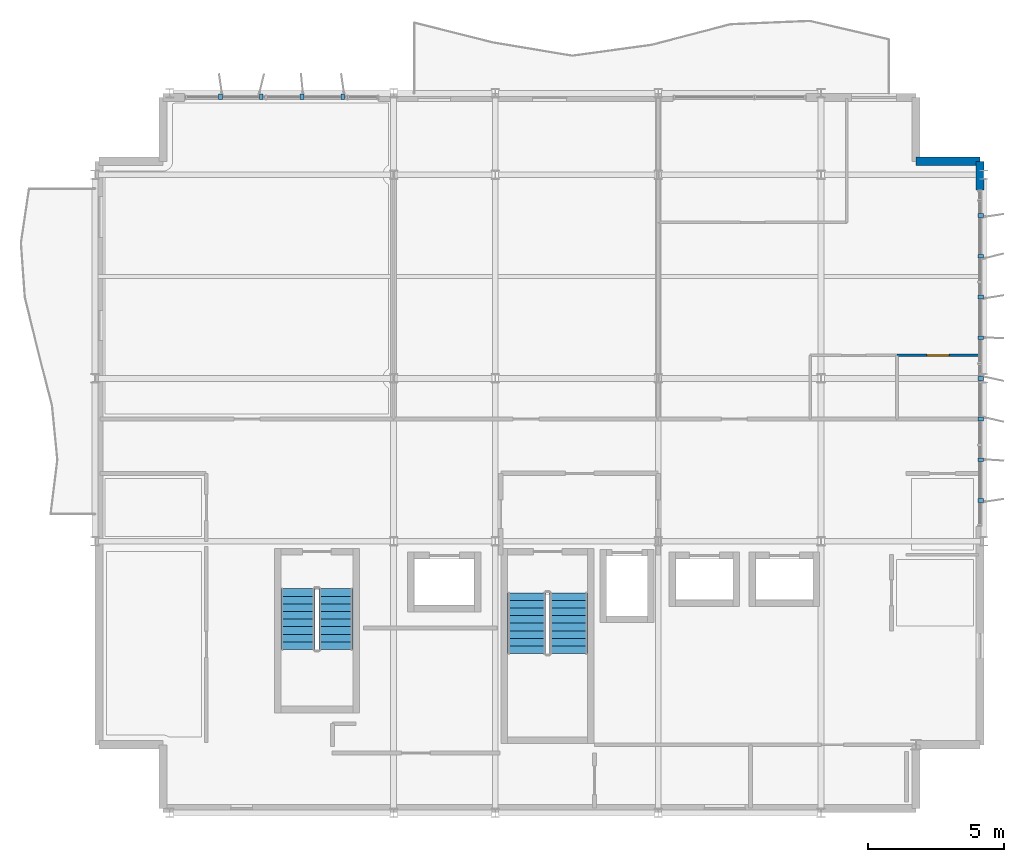
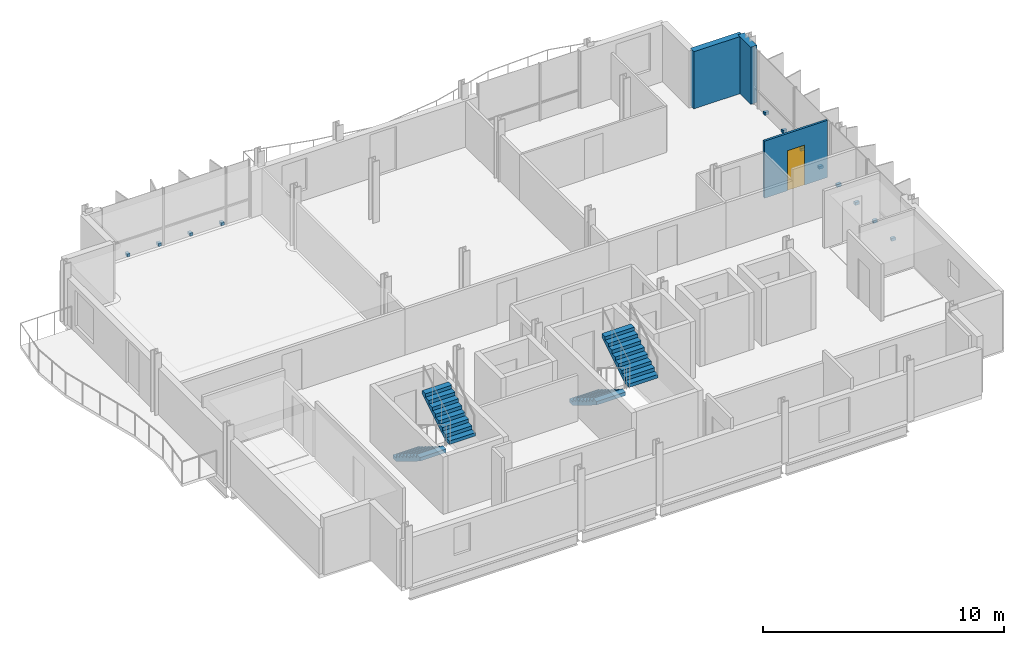
# One storey, part 10 of 12: 12 discrete accessories, 4 stair flights, 3 walls, 1 door, 1 opening, 2 elements without a shape of their own.
"""IFC4 building model written with IfcOpenShell, lengths in metres."""

from ifc_helpers import new_model, si_unit, direction, frame, frame_2d, origin, origin_2d, place, context, subcontext, project, spatial, polyline, rectangle, outline, extrude, material, layer, layer_set, type_object, element, fill, aggregate, save


model = new_model("IFC4")

# Units and contexts
model_context = context("Model", 3, precision=1e-05, world=origin(), true_north=direction((0.0, 1.0)))
body_context = subcontext(model_context, "Body", "Model", "MODEL_VIEW")
ifc_project = project(units=[si_unit("LENGTHUNIT", "METRE"), si_unit("AREAUNIT", "SQUARE_METRE"), si_unit("VOLUMEUNIT", "CUBIC_METRE"), si_unit("PLANEANGLEUNIT", "RADIAN"), si_unit("MASSUNIT", "GRAM", prefix="KILO")], contexts=[model_context])

# Site, building, storey
site_placement = place(None, origin())
site = spatial("IfcSite", under=ifc_project, at=site_placement, CompositionType="ELEMENT")
building_placement = place(site_placement, origin())
building = spatial("IfcBuilding", under=site, at=building_placement, Name="Brevholm Reach", CompositionType="ELEMENT")
storey_placement = place(building_placement, frame((0.0, 0.0, 230.39990234375)))
storey = spatial("IfcBuildingStorey", under=building, at=storey_placement, Name="L70", CompositionType="ELEMENT", Elevation=230.39990234375)

# Walls
ifc_material_1 = material(Name="Concrete C40/50", Category="concrete")
ifc_layer_1 = layer(ifc_material_1, 0.300048828125)
ifc_layer_set_1 = layer_set([ifc_layer_1], Name="Concrete C40/50")
wall_type_1 = type_object("IfcWallType", Name="WAL-EXT-300", PredefinedType="STANDARD", material=ifc_layer_set_1)
wall_1_placement = place(storey_placement, frame((59.85009765625, 24.0, 0.0), z_axis=(0.0, 0.0, 1.0), x_axis=(-1.0, 0.0, 0.0)))
element("IfcWall", 1, at=wall_1_placement, inside=storey, type_object=wall_type_1, Name="L70 Facade Wall WAL-L70-CNE1", PredefinedType="STANDARD", context=body_context, shape_type="SweptSolid", body=[
    extrude(rectangle(XDim=2.35009765625, YDim=0.300048828125, at=frame_2d((1.175048828125, 0.0))), origin(), (0.0, 0.0, 1.0), 2.89013671875),
])
wall_2_placement = place(storey_placement, frame((59.85009765625, 22.949951171875, 0.0), z_axis=(0.0, 0.0, 1.0), x_axis=(0.0, 1.0, 0.0)))
element("IfcWall", 2, at=wall_2_placement, inside=storey, type_object=wall_type_1, Name="L70 Facade Wall WAL-L70-E-TOP", PredefinedType="STANDARD", context=body_context, shape_type="SweptSolid", body=[
    extrude(rectangle(XDim=1.050048828125, YDim=0.300048828125, at=frame_2d((0.52490234375, 0.0))), origin(), (0.0, 0.0, 1.0), 2.89013671875),
])

# Wall, opening, door
ifc_material_2 = material(Name="Moisture-Resistant Acoustic Gypsum Stud Partition 100 mm", Category="gypsum")
ifc_layer_2 = layer(ifc_material_2, 0.10009765625)
ifc_layer_set_2 = layer_set([ifc_layer_2], Name="Moisture-Resistant Acoustic Gypsum Stud Partition 100 mm")
wall_type_2 = type_object("IfcWallType", Name="WAL-PRT-100", PredefinedType="PARTITIONING", material=ifc_layer_set_2)
wall_3_placement = place(storey_placement, frame((56.800048828125, 16.85009765625, 0.0), z_axis=(0.0, 0.0, 1.0), x_axis=(1.0, 0.0, 0.0)))
wall_3 = element("IfcWall", 3, at=wall_3_placement, inside=storey, type_object=wall_type_2, Name="L70 Internal Partition 024", PredefinedType="PARTITIONING", context=body_context, shape_type="SweptSolid", body=[
    extrude(rectangle(XDim=3.02001953125, YDim=0.10009765625, at=frame_2d((1.510009765625, 0.0))), origin(), (0.0, 0.0, 1.0), 2.89013671875),
])
opening_placement = place(wall_3_placement, frame((1.10009765625, 0.0, 0.0)))
opening = element("IfcOpeningElement", 4, at=opening_placement, cuts=wall_3, Name="Opening ID-03", PredefinedType="OPENING", context=body_context, shape_type="SweptSolid", body=[
    extrude(rectangle(XDim=0.820068359375, YDim=2.02001953125, at=frame_2d((0.41015625, 1.010009765625))), frame((0.0, 0.06005859375, 0.0), z_axis=(0.0, -1.0, 0.0), x_axis=(1.0, 0.0, 0.0)), (0.0, 0.0, 1.0), 0.1201171875),
])
ifc_material_3 = material(Name="Moisture-Resistant Painted Timber Internal Bathroom Door", Category="wood")
door_type = type_object("IfcDoorType", Name="DOR-BATH-820", OperationType="NOTDEFINED", PredefinedType="DOOR", material=ifc_material_3)
door_placement = place(opening_placement, origin())
door = element("IfcDoor", 5, at=door_placement, inside=storey, type_object=door_type, Name="L70 Internal Door 014", OperationType="SINGLE_SWING_RIGHT", OverallHeight=2.02001953125, OverallWidth=0.820068359375, PredefinedType="DOOR", context=body_context, shape_type="SweptSolid", body=[
    extrude(rectangle(XDim=0.820068359375, YDim=2.02001953125, at=frame_2d((0.41015625, 1.010009765625))), frame((0.0, 0.02490234375, 0.0), z_axis=(0.0, -1.0, 0.0), x_axis=(1.0, 0.0, 0.0)), (0.0, 0.0, 1.0), 0.050048828125),
])
fill(opening, door)

# Stair, stair flights
ifc_material_4 = material(Name="Precast Concrete C40/50", Category="concrete")
stair_type_1 = type_object("IfcStairType", Name="STR-ESC-1250", PredefinedType="DOUBLE_RETURN_STAIR", material=ifc_material_4)
stair_1_placement = place(storey_placement, origin())
stair_1 = element("IfcStair", 6, at=stair_1_placement, inside=storey, type_object=stair_type_1, Name="L70 ST-3", PredefinedType="DOUBLE_RETURN_STAIR")
ifc_material_5 = material(Name="Precast Concrete C40/50", Category="concrete")
ifc_layer_3 = layer(ifc_material_5, 0.1650390625)
ifc_layer_set_3 = layer_set([ifc_layer_3], Name="Precast Concrete C40/50")
stair_flight_type_1 = type_object("IfcStairFlightType", Name="STF-PRC-165", PredefinedType="STRAIGHT", material=ifc_layer_set_3)
stair_flight_1_placement = place(storey_placement, frame((34.72509765625, 8.25, 0.0), z_axis=(0.0, 0.0, 1.0), x_axis=(0.0, -1.0, 0.0)))
stair_flight_1 = element("IfcStairFlight", 7, at=stair_flight_1_placement, type_object=stair_flight_type_1, Name="ST-3 flight 1", NumberOfRisers=9, NumberOfTreads=8, PredefinedType="STRAIGHT", RiserHeight=0.172222222, TreadLength=0.28, context=body_context, shape_type="SweptSolid", body=[
    extrude(outline(polyline([(0.0, 0.0), (0.0, 0.172119140625), (0.280029296875, 0.172119140625), (0.280029296875, 0.344482421875), (0.56005859375, 0.344482421875), (0.56005859375, 0.5166015625), (0.840087890625, 0.5166015625), (0.840087890625, 0.68896484375), (1.1201171875, 0.68896484375), (1.1201171875, 0.861083984375), (1.39990234375, 0.861083984375), (1.39990234375, 1.033447265625), (1.679931640625, 1.033447265625), (1.679931640625, 1.20556640625), (1.9599609375, 1.20556640625), (1.9599609375, 1.377685546875), (2.239990234375, 1.377685546875), (2.239990234375, 1.550048828125), (2.239990234375, 1.201904296875), (0.2861328125, 0.0), (0.0, 0.0)])), frame((0.0, 0.625, 0.0), z_axis=(0.0, -1.0, 0.0), x_axis=(1.0, 0.0, 0.0)), (0.0, 0.0, 1.0), 1.25),
])
stair_flight_2_placement = place(storey_placement, frame((36.125, 6.010009765625, 1.550048828125), z_axis=(0.0, 0.0, 1.0), x_axis=(0.0, 1.0, 0.0)))
stair_flight_2 = element("IfcStairFlight", 8, at=stair_flight_2_placement, type_object=stair_flight_type_1, Name="ST-3 flight 2", NumberOfRisers=9, NumberOfTreads=8, PredefinedType="STRAIGHT", RiserHeight=0.172222222, TreadLength=0.28, context=body_context, shape_type="SweptSolid", body=[
    extrude(outline(polyline([(0.0, 0.0), (0.0, 0.172119140625), (0.280029296875, 0.172119140625), (0.280029296875, 0.344482421875), (0.56005859375, 0.344482421875), (0.56005859375, 0.5166015625), (0.840087890625, 0.5166015625), (0.840087890625, 0.68896484375), (1.1201171875, 0.68896484375), (1.1201171875, 0.861083984375), (1.39990234375, 0.861083984375), (1.39990234375, 1.033447265625), (1.679931640625, 1.033447265625), (1.679931640625, 1.20556640625), (1.9599609375, 1.20556640625), (1.9599609375, 1.377685546875), (2.239990234375, 1.377685546875), (2.239990234375, 1.550048828125), (2.239990234375, 1.201904296875), (0.2861328125, 0.0), (0.0, 0.0)])), frame((0.0, 0.625, 0.0), z_axis=(0.0, -1.0, 0.0), x_axis=(1.0, 0.0, 0.0)), (0.0, 0.0, 1.0), 1.25),
])
aggregate(stair_1, [stair_flight_1, stair_flight_2])

ifc_material_6 = material(Name="Precast Concrete C40/50", Category="concrete")
stair_type_2 = type_object("IfcStairType", Name="STR-ESC-1400", PredefinedType="DOUBLE_RETURN_STAIR", material=ifc_material_6)
stair_2_placement = place(storey_placement, origin())
stair_2 = element("IfcStair", 9, at=stair_2_placement, inside=storey, type_object=stair_type_2, Name="L70 ST-2", PredefinedType="DOUBLE_RETURN_STAIR")
ifc_material_7 = material(Name="Precast Concrete C40/50", Category="concrete")
ifc_layer_4 = layer(ifc_material_7, 0.18505859375)
ifc_layer_set_4 = layer_set([ifc_layer_4], Name="Precast Concrete C40/50")
stair_flight_type_2 = type_object("IfcStairFlightType", Name="STF-PRC-185", PredefinedType="STRAIGHT", material=ifc_layer_set_4)
stair_flight_3_placement = place(storey_placement, frame((43.14990234375, 8.10009765625, 0.0), z_axis=(0.0, 0.0, 1.0), x_axis=(0.0, -1.0, 0.0)))
stair_flight_3 = element("IfcStairFlight", 10, at=stair_flight_3_placement, type_object=stair_flight_type_2, Name="ST-2 flight 1", NumberOfRisers=9, NumberOfTreads=8, PredefinedType="STRAIGHT", RiserHeight=0.172222222, TreadLength=0.28, context=body_context, shape_type="SweptSolid", body=[
    extrude(outline(polyline([(0.0, 0.0), (0.0, 0.172119140625), (0.280029296875, 0.172119140625), (0.280029296875, 0.344482421875), (0.56005859375, 0.344482421875), (0.56005859375, 0.5166015625), (0.840087890625, 0.5166015625), (0.840087890625, 0.68896484375), (1.1201171875, 0.68896484375), (1.1201171875, 0.861083984375), (1.39990234375, 0.861083984375), (1.39990234375, 1.033447265625), (1.679931640625, 1.033447265625), (1.679931640625, 1.20556640625), (1.9599609375, 1.20556640625), (1.9599609375, 1.377685546875), (2.239990234375, 1.377685546875), (2.239990234375, 1.550048828125), (2.239990234375, 1.201904296875), (0.2861328125, 0.0), (0.0, 0.0)])), frame((0.0, 0.699951171875, 0.0), z_axis=(0.0, -1.0, 0.0), x_axis=(1.0, 0.0, 0.0)), (0.0, 0.0, 1.0), 1.39990234375),
])
stair_flight_4_placement = place(storey_placement, frame((44.699951171875, 5.860107421875, 1.550048828125), z_axis=(0.0, 0.0, 1.0), x_axis=(0.0, 1.0, 0.0)))
stair_flight_4 = element("IfcStairFlight", 11, at=stair_flight_4_placement, type_object=stair_flight_type_2, Name="ST-2 flight 2", NumberOfRisers=9, NumberOfTreads=8, PredefinedType="STRAIGHT", RiserHeight=0.172222222, TreadLength=0.28, context=body_context, shape_type="SweptSolid", body=[
    extrude(outline(polyline([(0.0, 0.0), (0.0, 0.172119140625), (0.280029296875, 0.172119140625), (0.280029296875, 0.344482421875), (0.56005859375, 0.344482421875), (0.56005859375, 0.5166015625), (0.840087890625, 0.5166015625), (0.840087890625, 0.68896484375), (1.1201171875, 0.68896484375), (1.1201171875, 0.861083984375), (1.39990234375, 0.861083984375), (1.39990234375, 1.033447265625), (1.679931640625, 1.033447265625), (1.679931640625, 1.20556640625), (1.9599609375, 1.20556640625), (1.9599609375, 1.377685546875), (2.239990234375, 1.377685546875), (2.239990234375, 1.550048828125), (2.239990234375, 1.201904296875), (0.2861328125, 0.0), (0.0, 0.0)])), frame((0.0, 0.699951171875, 0.0), z_axis=(0.0, -1.0, 0.0), x_axis=(1.0, 0.0, 0.0)), (0.0, 0.0, 1.0), 1.39990234375),
])
aggregate(stair_2, [stair_flight_3, stair_flight_4])

# Discrete accessories
ifc_material_8 = material(Name="Duplex Stainless Steel EN 1.4462", Category="steel")
discrete_accessory_type = type_object("IfcDiscreteAccessoryType", Name="ACC-BRK-01", PredefinedType="BRACKET", material=ifc_material_8)
for number, where, z_axis, x_axis, name in (
    (12, (31.875, 26.3798828125, 0.0302734375), (0.0, 0.0, 1.0), (0.0, 1.0, 0.0), "L70 Solar Screen Support Bracket 1"),
    (13, (33.375, 26.3798828125, 0.0302734375), (0.0, 0.0, 1.0), (0.0, 1.0, 0.0), "L70 Solar Screen Support Bracket 2"),
    (14, (34.875, 26.3798828125, 0.0302734375), (0.0, 0.0, 1.0), (0.0, 1.0, 0.0), "L70 Solar Screen Support Bracket 3"),
    (15, (36.375, 26.3798828125, 0.0302734375), (0.0, 0.0, 1.0), (0.0, 1.0, 0.0), "L70 Solar Screen Support Bracket 4"),
    (16, (59.8798828125, 11.5, 0.0302734375), (0.0, 0.0, 1.0), (1.0, 0.0, 0.0), "L70 Solar Screen Support Bracket 1"),
    (17, (59.8798828125, 13.0, 0.0302734375), (0.0, 0.0, 1.0), (1.0, 0.0, 0.0), "L70 Solar Screen Support Bracket 2"),
    (18, (59.8798828125, 14.5, 0.0302734375), (0.0, 0.0, 1.0), (1.0, 0.0, 0.0), "L70 Solar Screen Support Bracket 3"),
    (19, (59.8798828125, 16.0, 0.0302734375), (0.0, 0.0, 1.0), (1.0, 0.0, 0.0), "L70 Solar Screen Support Bracket 4"),
    (20, (59.8798828125, 17.5, 0.0302734375), (0.0, 0.0, 1.0), (1.0, 0.0, 0.0), "L70 Solar Screen Support Bracket 5"),
    (21, (59.8798828125, 19.0, 0.0302734375), (0.0, 0.0, 1.0), (1.0, 0.0, 0.0), "L70 Solar Screen Support Bracket 6"),
    (22, (59.8798828125, 20.5, 0.0302734375), (0.0, 0.0, 1.0), (1.0, 0.0, 0.0), "L70 Solar Screen Support Bracket 7"),
    (23, (59.8798828125, 22.0, 0.0302734375), (0.0, 0.0, 1.0), (1.0, 0.0, 0.0), "L70 Solar Screen Support Bracket 8"),
):
    element("IfcDiscreteAccessory", number, at=place(storey_placement, frame(where, z_axis=z_axis, x_axis=x_axis)), inside=storey, type_object=discrete_accessory_type, Name=name, PredefinedType="BRACKET", context=body_context, shape_type="SweptSolid", body=[
        extrude(rectangle(XDim=0.199951171875, YDim=0.139892578125, at=origin_2d()), origin(), (0.0, 0.0, 1.0), 0.139892578125),
    ])

save(model, "model.ifc")
